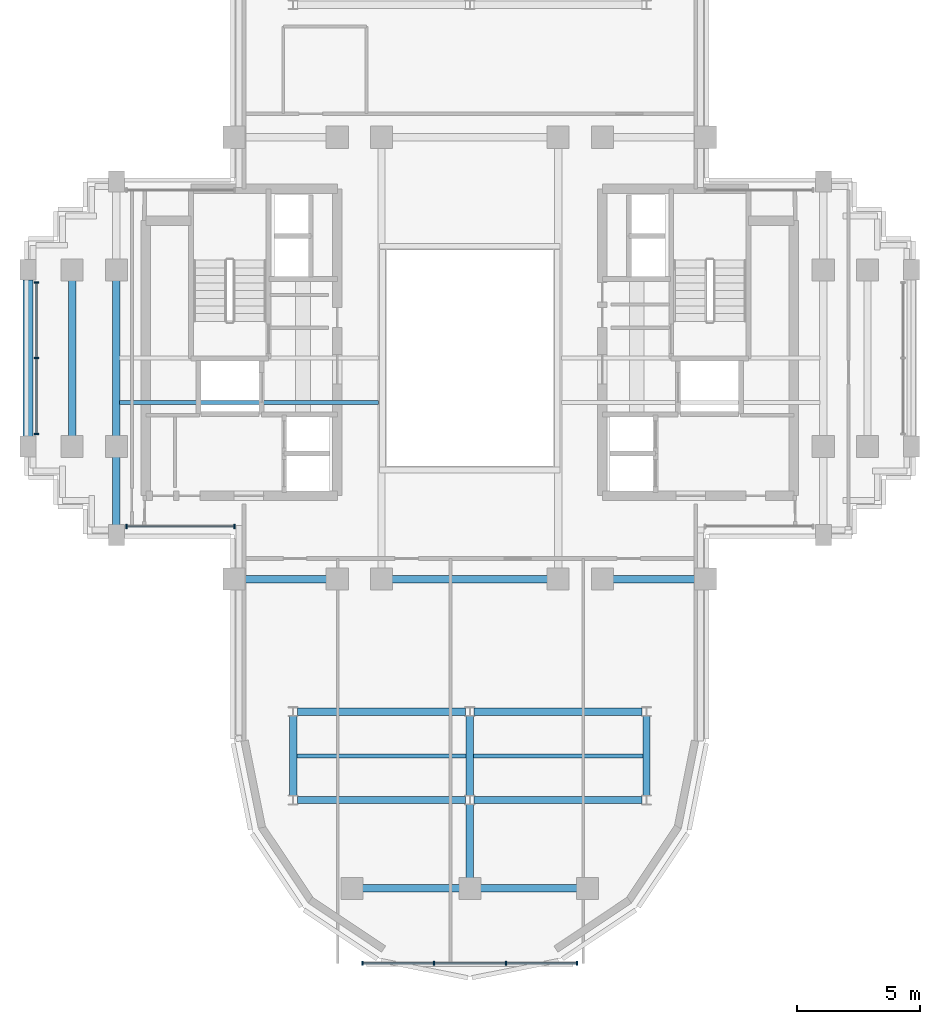
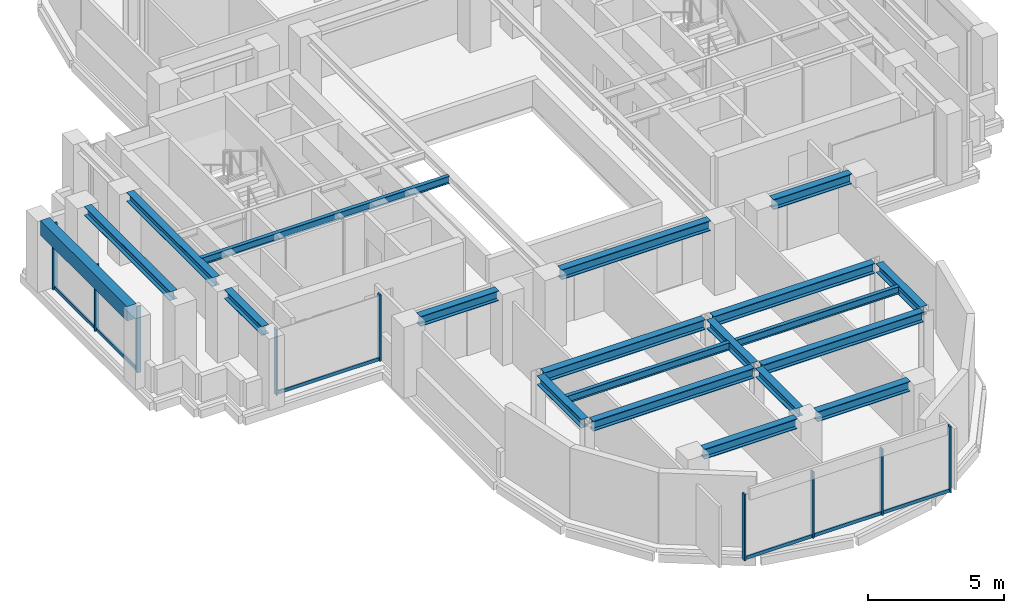
# One storey, part 2 of 11: 20 beams, 15 members, 3 elements without a shape of their own.
"""IFC4 building model written with IfcOpenShell, lengths in metres."""

from ifc_helpers import new_model, si_unit, direction, frame, origin, origin_2d, place, context, subcontext, project, spatial, rectangle, i_section, extrude, source, transform, mapped, material, material_profile, profile_set, type_object, element, aggregate, save


model = new_model("IFC4")

# Units and contexts
model_context = context("Model", 3, precision=1e-05, world=origin(), true_north=direction((0.0, 1.0)))
body_context = subcontext(model_context, "Body", "Model", "MODEL_VIEW")
ifc_project = project(units=[si_unit("LENGTHUNIT", "METRE"), si_unit("AREAUNIT", "SQUARE_METRE"), si_unit("VOLUMEUNIT", "CUBIC_METRE"), si_unit("PLANEANGLEUNIT", "RADIAN"), si_unit("MASSUNIT", "GRAM", prefix="KILO")], contexts=[model_context])

# Site, building, storey
site_placement = place(None, origin())
site = spatial("IfcSite", under=ifc_project, at=site_placement, CompositionType="ELEMENT")
building_placement = place(site_placement, origin())
building = spatial("IfcBuilding", under=site, at=building_placement, Name="Keilestroom Media Tower", CompositionType="ELEMENT")
storey_placement = place(building_placement, frame((0.0, 0.0, 167.199951171875)))
storey = spatial("IfcBuildingStorey", under=building, at=storey_placement, Name="L45", CompositionType="ELEMENT", Elevation=167.199951171875)

# Beams
ifc_material_1 = material(Name="Steel S355", Category="steel")
ifc_material_profile_1 = material_profile(ifc_material_1, i_section(OverallWidth=0.300048828125, OverallDepth=0.449951171875, WebThickness=0.011962890625, FlangeThickness=0.02587890625, at=origin_2d()), Name="HEB 450")
ifc_profile_set_1 = profile_set([ifc_material_profile_1], Name="Steel S355")
beam_type_1 = type_object("IfcBeamType", Name="Primary-Structural-Girder-HEB-450", PredefinedType="BEAM", material=ifc_profile_set_1)
shared_shape_1 = source(origin(), body_context, "Body", "SweptSolid", [
    extrude(i_section(OverallWidth=0.300048828125, OverallDepth=0.449951171875, WebThickness=0.011962890625, FlangeThickness=0.02587890625, at=origin_2d()), origin(), (0.0, 0.0, 1.0), 3.940185546875),
])
for number, where, z_axis, x_axis, name in (
    (1, (-4.3701171875, -21.60009765625, 2.97509765625), (1.0, 0.0, 0.0), (0.0, 1.0, 0.0), "L45 Beam BG-7 BM-L45-EW-001"),
    (2, (0.429931640625, -21.60009765625, 2.97509765625), (1.0, 0.0, 0.0), (0.0, 1.0, 0.0), "L45 Beam BG-7 BM-L45-EW-002"),
):
    element("IfcBeam", number, at=place(storey_placement, frame(where, z_axis=z_axis, x_axis=x_axis)), inside=storey, type_object=beam_type_1, Name=name, PredefinedType="BEAM", context=body_context, shape_type="MappedRepresentation", body=[
        mapped(shared_shape_1, transform((0.0, 0.0, 0.0), x_axis=(1.0, 0.0, 0.0), y_axis=(0.0, 1.0, 0.0), z_axis=(0.0, 0.0, 1.0), scale=1.0)),
    ])
shared_shape_2 = source(origin(), body_context, "Body", "SweptSolid", [
    extrude(i_section(OverallWidth=0.300048828125, OverallDepth=0.449951171875, WebThickness=0.011962890625, FlangeThickness=0.02587890625, at=origin_2d()), origin(), (0.0, 0.0, 1.0), 6.842041015625),
])
for number, where, z_axis, x_axis, name in (
    (3, (-7.02099609375, -18.0, 2.97509765625), (1.0, 0.0, 0.0), (0.0, 1.0, 0.0), "L45 Beam BG-7 BM-L45-EW-003"),
    (4, (0.178955078125, -18.0, 2.97509765625), (1.0, 0.0, 0.0), (0.0, 1.0, 0.0), "L45 Beam BG-7 BM-L45-EW-004"),
    (5, (-7.02099609375, -14.39990234375, 2.97509765625), (1.0, 0.0, 0.0), (0.0, 1.0, 0.0), "L45 Beam BG-7 BM-L45-EW-005"),
    (6, (0.178955078125, -14.39990234375, 2.97509765625), (1.0, 0.0, 0.0), (0.0, 1.0, 0.0), "L45 Beam BG-7 BM-L45-EW-006"),
):
    element("IfcBeam", number, at=place(storey_placement, frame(where, z_axis=z_axis, x_axis=x_axis)), inside=storey, type_object=beam_type_1, Name=name, PredefinedType="BEAM", context=body_context, shape_type="MappedRepresentation", body=[
        mapped(shared_shape_2, transform((0.0, 0.0, 0.0), x_axis=(1.0, 0.0, 0.0), y_axis=(0.0, 1.0, 0.0), z_axis=(0.0, 0.0, 1.0), scale=1.0)),
    ])
shared_shape_3 = source(origin(), body_context, "Body", "SweptSolid", [
    extrude(i_section(OverallWidth=0.300048828125, OverallDepth=0.449951171875, WebThickness=0.011962890625, FlangeThickness=0.02587890625, at=origin_2d()), origin(), (0.0, 0.0, 1.0), 3.33984375),
])
for number, where, z_axis, x_axis, name in (
    (7, (-9.169921875, -9.0, 2.97509765625), (1.0, 0.0, 0.0), (0.0, 1.0, 0.0), "L45 Beam BG-7 BM-L45-EW-007"),
    (8, (5.830078125, -9.0, 2.97509765625), (1.0, 0.0, 0.0), (0.0, 1.0, 0.0), "L45 Beam BG-7 BM-L45-EW-011"),
):
    element("IfcBeam", number, at=place(storey_placement, frame(where, z_axis=z_axis, x_axis=x_axis)), inside=storey, type_object=beam_type_1, Name=name, PredefinedType="BEAM", context=body_context, shape_type="MappedRepresentation", body=[
        mapped(shared_shape_3, transform((0.0, 0.0, 0.0), x_axis=(1.0, 0.0, 0.0), y_axis=(0.0, 1.0, 0.0), z_axis=(0.0, 0.0, 1.0), scale=1.0)),
    ])
shared_shape_4 = source(origin(), body_context, "Body", "SweptSolid", [
    extrude(i_section(OverallWidth=0.300048828125, OverallDepth=0.449951171875, WebThickness=0.011962890625, FlangeThickness=0.02587890625, at=origin_2d()), origin(), (0.0, 0.0, 1.0), 6.33984375),
])
beam_1_placement = place(storey_placement, frame((-3.169921875, -9.0, 2.97509765625), z_axis=(1.0, 0.0, 0.0), x_axis=(0.0, 1.0, 0.0)))
element("IfcBeam", 9, at=beam_1_placement, inside=storey, type_object=beam_type_1, Name="L45 Beam BG-7 BM-L45-EW-009", PredefinedType="BEAM", context=body_context, shape_type="MappedRepresentation", body=[
    mapped(shared_shape_4, transform((0.0, 0.0, 0.0), x_axis=(1.0, 0.0, 0.0), y_axis=(0.0, 1.0, 0.0), z_axis=(0.0, 0.0, 1.0), scale=1.0)),
])
ifc_material_2 = material(Name="Precast concrete C40/50", Category="concrete")
ifc_material_profile_2 = material_profile(ifc_material_2, rectangle(XDim=0.39990234375, YDim=0.64990234375, at=origin_2d()), Name="PC 400x650")
ifc_profile_set_2 = profile_set([ifc_material_profile_2], Name="Precast concrete C40/50")
beam_type_2 = type_object("IfcBeamType", Name="Perimeter-Spandrel-Beam-PC-400x650", PredefinedType="SPANDREL", material=ifc_profile_set_2)
shared_shape_5 = source(origin(), body_context, "Body", "SweptSolid", [
    extrude(rectangle(XDim=0.39990234375, YDim=0.64990234375, at=origin_2d()), origin(), (0.0, 0.0, 1.0), 6.39013671875),
])
beam_2_placement = place(storey_placement, frame((-18.0, -3.195068359375, 2.875), z_axis=(0.0, 1.0, 0.0), x_axis=(-1.0, 0.0, 0.0)))
element("IfcBeam", 10, at=beam_2_placement, inside=storey, type_object=beam_type_2, Name="L45 Beam SPB-2 BM-L45-NS-031", PredefinedType="SPANDREL", context=body_context, shape_type="MappedRepresentation", body=[
    mapped(shared_shape_5, transform((0.0, 0.0, 0.0), x_axis=(1.0, 0.0, 0.0), y_axis=(0.0, 1.0, 0.0), z_axis=(0.0, 0.0, 1.0), scale=1.0)),
])
ifc_material_profile_3 = material_profile(ifc_material_1, i_section(OverallWidth=0.300048828125, OverallDepth=0.39990234375, WebThickness=0.011474609375, FlangeThickness=0.02392578125, at=origin_2d()), Name="HEB 400")
ifc_profile_set_3 = profile_set([ifc_material_profile_3], Name="Steel S355")
beam_type_3 = type_object("IfcBeamType", Name="Primary-Structural-Girder-HEB-400", PredefinedType="BEAM", material=ifc_profile_set_3)
shared_shape_6 = source(origin(), body_context, "Body", "SweptSolid", [
    extrude(i_section(OverallWidth=0.300048828125, OverallDepth=0.39990234375, WebThickness=0.011474609375, FlangeThickness=0.02392578125, at=origin_2d()), origin(), (0.0, 0.0, 1.0), 6.33984375),
])
for number, where, z_axis, x_axis, name in (
    (11, (-16.199951171875, -3.169921875, 3.0), (0.0, 1.0, 0.0), (-1.0, 0.0, 0.0), "L45 Beam BG-8 BM-L45-NS-032"),
    (12, (-14.39990234375, -3.169921875, 3.0), (0.0, 1.0, 0.0), (-1.0, 0.0, 0.0), "L45 Beam BG-8 BM-L45-NS-034"),
):
    element("IfcBeam", number, at=place(storey_placement, frame(where, z_axis=z_axis, x_axis=x_axis)), inside=storey, type_object=beam_type_3, Name=name, PredefinedType="BEAM", context=body_context, shape_type="MappedRepresentation", body=[
        mapped(shared_shape_6, transform((0.0, 0.0, 0.0), x_axis=(1.0, 0.0, 0.0), y_axis=(0.0, 1.0, 0.0), z_axis=(0.0, 0.0, 1.0), scale=1.0)),
    ])
shared_shape_7 = source(origin(), body_context, "Body", "SweptSolid", [
    extrude(i_section(OverallWidth=0.300048828125, OverallDepth=0.39990234375, WebThickness=0.011474609375, FlangeThickness=0.02392578125, at=origin_2d()), origin(), (0.0, 0.0, 1.0), 2.764892578125),
])
beam_3_placement = place(storey_placement, frame((-14.39990234375, -6.794921875, 3.0), z_axis=(0.0, 1.0, 0.0), x_axis=(-1.0, 0.0, 0.0)))
element("IfcBeam", 13, at=beam_3_placement, inside=storey, type_object=beam_type_3, Name="L45 Beam BG-8 BM-L45-NS-033", PredefinedType="BEAM", context=body_context, shape_type="MappedRepresentation", body=[
    mapped(shared_shape_7, transform((0.0, 0.0, 0.0), x_axis=(1.0, 0.0, 0.0), y_axis=(0.0, 1.0, 0.0), z_axis=(0.0, 0.0, 1.0), scale=1.0)),
])
shared_shape_8 = source(origin(), body_context, "Body", "SweptSolid", [
    extrude(i_section(OverallWidth=0.300048828125, OverallDepth=0.39990234375, WebThickness=0.011474609375, FlangeThickness=0.02392578125, at=origin_2d()), origin(), (0.0, 0.0, 1.0), 3.2529296875),
])
for number, where, z_axis, x_axis, name in (
    (14, (-7.199951171875, -17.826416015625, 3.0), (0.0, 1.0, 0.0), (-1.0, 0.0, 0.0), "L45 Beam BG-8 BM-L45-NS-037"),
    (15, (0.0, -17.826416015625, 3.0), (0.0, 1.0, 0.0), (-1.0, 0.0, 0.0), "L45 Beam BG-8 BM-L45-NS-042"),
    (16, (7.199951171875, -17.826416015625, 3.0), (0.0, 1.0, 0.0), (-1.0, 0.0, 0.0), "L45 Beam BG-8 BM-L45-NS-047"),
):
    element("IfcBeam", number, at=place(storey_placement, frame(where, z_axis=z_axis, x_axis=x_axis)), inside=storey, type_object=beam_type_3, Name=name, PredefinedType="BEAM", context=body_context, shape_type="MappedRepresentation", body=[
        mapped(shared_shape_8, transform((0.0, 0.0, 0.0), x_axis=(1.0, 0.0, 0.0), y_axis=(0.0, 1.0, 0.0), z_axis=(0.0, 0.0, 1.0), scale=1.0)),
    ])
shared_shape_9 = source(origin(), body_context, "Body", "SweptSolid", [
    extrude(i_section(OverallWidth=0.300048828125, OverallDepth=0.39990234375, WebThickness=0.011474609375, FlangeThickness=0.02392578125, at=origin_2d()), origin(), (0.0, 0.0, 1.0), 2.996337890625),
])
beam_4_placement = place(storey_placement, frame((0.0, -21.169921875, 3.0), z_axis=(0.0, 1.0, 0.0), x_axis=(-1.0, 0.0, 0.0)))
element("IfcBeam", 17, at=beam_4_placement, inside=storey, type_object=beam_type_3, Name="L45 Beam BG-8 BM-L45-NS-041", PredefinedType="BEAM", context=body_context, shape_type="MappedRepresentation", body=[
    mapped(shared_shape_9, transform((0.0, 0.0, 0.0), x_axis=(1.0, 0.0, 0.0), y_axis=(0.0, 1.0, 0.0), z_axis=(0.0, 0.0, 1.0), scale=1.0)),
])
ifc_material_profile_4 = material_profile(ifc_material_1, i_section(OverallWidth=0.159912109375, OverallDepth=0.330078125, WebThickness=0.007568359375, FlangeThickness=0.011474609375, at=origin_2d()), Name="IPE 330")
ifc_profile_set_4 = profile_set([ifc_material_profile_4], Name="Steel S355")
beam_type_4 = type_object("IfcBeamType", Name="Secondary-Floor-Joist-IPE-330", PredefinedType="JOIST", material=ifc_profile_set_4)
shared_shape_10 = source(origin(), body_context, "Body", "SweptSolid", [
    extrude(i_section(OverallWidth=0.159912109375, OverallDepth=0.330078125, WebThickness=0.007568359375, FlangeThickness=0.011474609375, at=origin_2d()), origin(), (0.0, 0.0, 1.0), 6.940185546875),
])
for number, where, z_axis, x_axis, name in (
    (18, (-7.070068359375, -16.199951171875, 3.03515625), (1.0, 0.0, 0.0), (0.0, 1.0, 0.0), "L45 Beam BJ-6 JST-L45-055"),
    (19, (0.1298828125, -16.199951171875, 3.03515625), (1.0, 0.0, 0.0), (0.0, 1.0, 0.0), "L45 Beam BJ-6 JST-L45-056"),
):
    element("IfcBeam", number, at=place(storey_placement, frame(where, z_axis=z_axis, x_axis=x_axis)), inside=storey, type_object=beam_type_4, Name=name, PredefinedType="JOIST", context=body_context, shape_type="MappedRepresentation", body=[
        mapped(shared_shape_10, transform((0.0, 0.0, 0.0), x_axis=(1.0, 0.0, 0.0), y_axis=(0.0, 1.0, 0.0), z_axis=(0.0, 0.0, 1.0), scale=1.0)),
    ])
shared_shape_11 = source(origin(), body_context, "Body", "SweptSolid", [
    extrude(i_section(OverallWidth=0.159912109375, OverallDepth=0.330078125, WebThickness=0.007568359375, FlangeThickness=0.011474609375, at=origin_2d()), origin(), (0.0, 0.0, 1.0), 10.5400390625),
])
beam_5_placement = place(storey_placement, frame((-14.27001953125, -1.800048828125, 3.03515625), z_axis=(1.0, 0.0, 0.0), x_axis=(0.0, 1.0, 0.0)))
element("IfcBeam", 20, at=beam_5_placement, inside=storey, type_object=beam_type_4, Name="L45 Beam BJ-6 JST-L45-057", PredefinedType="JOIST", context=body_context, shape_type="MappedRepresentation", body=[
    mapped(shared_shape_11, transform((0.0, 0.0, 0.0), x_axis=(1.0, 0.0, 0.0), y_axis=(0.0, 1.0, 0.0), z_axis=(0.0, 0.0, 1.0), scale=1.0)),
])

# Curtain wall, members
ifc_material_3 = material(Name="Anodised Aluminium Alloy", Category="aluminium")
curtain_wall_type_1 = type_object("IfcCurtainWallType", Name="Unitised-Curtain-Wall-CW-6", PredefinedType="NOTDEFINED", material=ifc_material_3)
curtain_wall_1_placement = place(storey_placement, origin())
curtain_wall_1 = element("IfcCurtainWall", 21, at=curtain_wall_1_placement, inside=storey, type_object=curtain_wall_type_1, Name="L45 Curtain Wall CW-6 CW-L45-LS-1", PredefinedType="NOTDEFINED")
ifc_material_profile_5 = material_profile(ifc_material_3, rectangle(XDim=0.06494140625, YDim=0.179931640625, at=origin_2d()), Name="ALU MULLION 65x180")
ifc_profile_set_5 = profile_set([ifc_material_profile_5], Name="Anodised Aluminium Alloy")
member_type_1 = type_object("IfcMemberType", Name="Curtain-Wall-Mullion-CW-6", PredefinedType="MULLION", material=ifc_profile_set_5)
shared_shape_12 = source(origin(), body_context, "Body", "SweptSolid", [
    extrude(rectangle(XDim=0.06494140625, YDim=0.179931640625, at=origin_2d()), origin(), (0.0, 0.0, 1.0), 2.97998046875),
])
member_1_placement = place(storey_placement, frame((-4.367431640625, -24.64990234375, 0.0), z_axis=(0.0, 0.0, 1.0), x_axis=(1.0, 0.0, 0.0)))
member_1 = element("IfcMember", 22, at=member_1_placement, type_object=member_type_1, Name="CW-6 Mullion 00", PredefinedType="MULLION", context=body_context, shape_type="MappedRepresentation", body=[
    mapped(shared_shape_12, transform((0.0, 0.0, 0.0), x_axis=(1.0, 0.0, 0.0), y_axis=(0.0, 1.0, 0.0), z_axis=(0.0, 0.0, 1.0), scale=1.0)),
])
member_2_placement = place(storey_placement, frame((-1.466796875, -24.64990234375, 0.0), z_axis=(0.0, 0.0, 1.0), x_axis=(1.0, 0.0, 0.0)))
member_2 = element("IfcMember", 23, at=member_2_placement, type_object=member_type_1, Name="CW-6 Mullion 01", PredefinedType="MULLION", context=body_context, shape_type="MappedRepresentation", body=[
    mapped(shared_shape_12, transform((0.0, 0.0, 0.0), x_axis=(1.0, 0.0, 0.0), y_axis=(0.0, 1.0, 0.0), z_axis=(0.0, 0.0, 1.0), scale=1.0)),
])
member_3_placement = place(storey_placement, frame((1.466796875, -24.64990234375, 0.0), z_axis=(0.0, 0.0, 1.0), x_axis=(1.0, 0.0, 0.0)))
member_3 = element("IfcMember", 24, at=member_3_placement, type_object=member_type_1, Name="CW-6 Mullion 02", PredefinedType="MULLION", context=body_context, shape_type="MappedRepresentation", body=[
    mapped(shared_shape_12, transform((0.0, 0.0, 0.0), x_axis=(1.0, 0.0, 0.0), y_axis=(0.0, 1.0, 0.0), z_axis=(0.0, 0.0, 1.0), scale=1.0)),
])
member_4_placement = place(storey_placement, frame((4.367431640625, -24.64990234375, 0.0), z_axis=(0.0, 0.0, 1.0), x_axis=(1.0, 0.0, 0.0)))
member_4 = element("IfcMember", 25, at=member_4_placement, type_object=member_type_1, Name="CW-6 Mullion 03", PredefinedType="MULLION", context=body_context, shape_type="MappedRepresentation", body=[
    mapped(shared_shape_12, transform((0.0, 0.0, 0.0), x_axis=(1.0, 0.0, 0.0), y_axis=(0.0, 1.0, 0.0), z_axis=(0.0, 0.0, 1.0), scale=1.0)),
])
ifc_material_profile_6 = material_profile(ifc_material_3, rectangle(XDim=0.06494140625, YDim=0.14990234375, at=origin_2d()), Name="ALU TRANSOM 65x150")
ifc_profile_set_6 = profile_set([ifc_material_profile_6], Name="Anodised Aluminium Alloy")
member_type_2 = type_object("IfcMemberType", Name="Curtain-Wall-Transom-CW-6", PredefinedType="USERDEFINED", material=ifc_profile_set_6)
shared_shape_13 = source(origin(), body_context, "Body", "SweptSolid", [
    extrude(rectangle(XDim=0.06494140625, YDim=0.14990234375, at=origin_2d()), origin(), (0.0, 0.0, 1.0), 2.839599609375),
])
member_5_placement = place(storey_placement, frame((-4.3369140625, -24.64990234375, 0.074951171875), z_axis=(1.0, 0.0, 0.0), x_axis=(0.0, 1.0, 0.0)))
member_5 = element("IfcMember", 26, at=member_5_placement, type_object=member_type_2, Name="CW-6 Transom 00.1", ObjectType="TRANSOM", PredefinedType="USERDEFINED", context=body_context, shape_type="MappedRepresentation", body=[
    mapped(shared_shape_13, transform((0.0, 0.0, 0.0), x_axis=(1.0, 0.0, 0.0), y_axis=(0.0, 1.0, 0.0), z_axis=(0.0, 0.0, 1.0), scale=1.0)),
])
member_6_placement = place(storey_placement, frame((1.497314453125, -24.64990234375, 0.074951171875), z_axis=(1.0, 0.0, 0.0), x_axis=(0.0, 1.0, 0.0)))
member_6 = element("IfcMember", 27, at=member_6_placement, type_object=member_type_2, Name="CW-6 Transom 02.1", ObjectType="TRANSOM", PredefinedType="USERDEFINED", context=body_context, shape_type="MappedRepresentation", body=[
    mapped(shared_shape_13, transform((0.0, 0.0, 0.0), x_axis=(1.0, 0.0, 0.0), y_axis=(0.0, 1.0, 0.0), z_axis=(0.0, 0.0, 1.0), scale=1.0)),
])
shared_shape_14 = source(origin(), body_context, "Body", "SweptSolid", [
    extrude(rectangle(XDim=0.06494140625, YDim=0.14990234375, at=origin_2d()), origin(), (0.0, 0.0, 1.0), 2.87255859375),
])
member_7_placement = place(storey_placement, frame((-1.436279296875, -24.64990234375, 0.074951171875), z_axis=(1.0, 0.0, 0.0), x_axis=(0.0, 1.0, 0.0)))
member_7 = element("IfcMember", 28, at=member_7_placement, type_object=member_type_2, Name="CW-6 Transom 01.1", ObjectType="TRANSOM", PredefinedType="USERDEFINED", context=body_context, shape_type="MappedRepresentation", body=[
    mapped(shared_shape_14, transform((0.0, 0.0, 0.0), x_axis=(1.0, 0.0, 0.0), y_axis=(0.0, 1.0, 0.0), z_axis=(0.0, 0.0, 1.0), scale=1.0)),
])
aggregate(curtain_wall_1, [member_1, member_2, member_3, member_4, member_5, member_7, member_6])

curtain_wall_type_2 = type_object("IfcCurtainWallType", Name="Unitised-Curtain-Wall-CW-3", PredefinedType="NOTDEFINED", material=ifc_material_3)
curtain_wall_2_placement = place(storey_placement, origin())
curtain_wall_2 = element("IfcCurtainWall", 29, at=curtain_wall_2_placement, inside=storey, type_object=curtain_wall_type_2, Name="L45 Curtain Wall CW-3 CW-L45-W-1", PredefinedType="NOTDEFINED")
ifc_material_profile_7 = material_profile(ifc_material_3, rectangle(XDim=0.06494140625, YDim=0.179931640625, at=origin_2d()), Name="ALU MULLION 65x180")
ifc_profile_set_7 = profile_set([ifc_material_profile_7], Name="Anodised Aluminium Alloy")
member_type_3 = type_object("IfcMemberType", Name="Curtain-Wall-Mullion-CW-3", PredefinedType="MULLION", material=ifc_profile_set_7)
shared_shape_15 = source(origin(), body_context, "Body", "SweptSolid", [
    extrude(rectangle(XDim=0.06494140625, YDim=0.179931640625, at=origin_2d()), origin(), (0.0, 0.0, 1.0), 2.97998046875),
])
member_8_placement = place(storey_placement, frame((-17.64990234375, -3.08251953125, 0.0), z_axis=(0.0, 0.0, 1.0), x_axis=(0.0, 1.0, 0.0)))
member_8 = element("IfcMember", 30, at=member_8_placement, type_object=member_type_3, Name="CW-3 Mullion 00", PredefinedType="MULLION", context=body_context, shape_type="MappedRepresentation", body=[
    mapped(shared_shape_15, transform((0.0, 0.0, 0.0), x_axis=(1.0, 0.0, 0.0), y_axis=(0.0, 1.0, 0.0), z_axis=(0.0, 0.0, 1.0), scale=1.0)),
])
member_9_placement = place(storey_placement, frame((-17.64990234375, 0.0, 0.0), z_axis=(0.0, 0.0, 1.0), x_axis=(0.0, 1.0, 0.0)))
member_9 = element("IfcMember", 31, at=member_9_placement, type_object=member_type_3, Name="CW-3 Mullion 01", PredefinedType="MULLION", context=body_context, shape_type="MappedRepresentation", body=[
    mapped(shared_shape_15, transform((0.0, 0.0, 0.0), x_axis=(1.0, 0.0, 0.0), y_axis=(0.0, 1.0, 0.0), z_axis=(0.0, 0.0, 1.0), scale=1.0)),
])
member_10_placement = place(storey_placement, frame((-17.64990234375, 3.08251953125, 0.0), z_axis=(0.0, 0.0, 1.0), x_axis=(0.0, 1.0, 0.0)))
member_10 = element("IfcMember", 32, at=member_10_placement, type_object=member_type_3, Name="CW-3 Mullion 02", PredefinedType="MULLION", context=body_context, shape_type="MappedRepresentation", body=[
    mapped(shared_shape_15, transform((0.0, 0.0, 0.0), x_axis=(1.0, 0.0, 0.0), y_axis=(0.0, 1.0, 0.0), z_axis=(0.0, 0.0, 1.0), scale=1.0)),
])

curtain_wall_3_placement = place(storey_placement, origin())
curtain_wall_3 = element("IfcCurtainWall", 33, at=curtain_wall_3_placement, inside=storey, type_object=curtain_wall_type_2, Name="L45 Curtain Wall CW-3 CW-L45-SW-1", PredefinedType="NOTDEFINED")
member_11_placement = place(storey_placement, frame((-13.982421875, -6.85009765625, 0.0), z_axis=(0.0, 0.0, 1.0), x_axis=(1.0, 0.0, 0.0)))
member_11 = element("IfcMember", 34, at=member_11_placement, type_object=member_type_3, Name="CW-3 Mullion 00", PredefinedType="MULLION", context=body_context, shape_type="MappedRepresentation", body=[
    mapped(shared_shape_15, transform((0.0, 0.0, 0.0), x_axis=(1.0, 0.0, 0.0), y_axis=(0.0, 1.0, 0.0), z_axis=(0.0, 0.0, 1.0), scale=1.0)),
])
member_12_placement = place(storey_placement, frame((-9.58251953125, -6.85009765625, 0.0), z_axis=(0.0, 0.0, 1.0), x_axis=(1.0, 0.0, 0.0)))
member_12 = element("IfcMember", 35, at=member_12_placement, type_object=member_type_3, Name="CW-3 Mullion 01", PredefinedType="MULLION", context=body_context, shape_type="MappedRepresentation", body=[
    mapped(shared_shape_15, transform((0.0, 0.0, 0.0), x_axis=(1.0, 0.0, 0.0), y_axis=(0.0, 1.0, 0.0), z_axis=(0.0, 0.0, 1.0), scale=1.0)),
])
ifc_material_profile_8 = material_profile(ifc_material_3, rectangle(XDim=0.06494140625, YDim=0.14990234375, at=origin_2d()), Name="ALU TRANSOM 65x150")
ifc_profile_set_8 = profile_set([ifc_material_profile_8], Name="Anodised Aluminium Alloy")
member_type_4 = type_object("IfcMemberType", Name="Curtain-Wall-Transom-CW-3", PredefinedType="USERDEFINED", material=ifc_profile_set_8)
shared_shape_16 = source(origin(), body_context, "Body", "SweptSolid", [
    extrude(rectangle(XDim=0.06494140625, YDim=0.14990234375, at=origin_2d()), origin(), (0.0, 0.0, 1.0), 4.3388671875),
])
member_13_placement = place(storey_placement, frame((-13.951904296875, -6.85009765625, 0.074951171875), z_axis=(1.0, 0.0, 0.0), x_axis=(0.0, 1.0, 0.0)))
member_13 = element("IfcMember", 36, at=member_13_placement, type_object=member_type_4, Name="CW-3 Transom 00.1", ObjectType="TRANSOM", PredefinedType="USERDEFINED", context=body_context, shape_type="MappedRepresentation", body=[
    mapped(shared_shape_16, transform((0.0, 0.0, 0.0), x_axis=(1.0, 0.0, 0.0), y_axis=(0.0, 1.0, 0.0), z_axis=(0.0, 0.0, 1.0), scale=1.0)),
])
aggregate(curtain_wall_3, [member_11, member_12, member_13])

# Member
shared_shape_17 = source(origin(), body_context, "Body", "SweptSolid", [
    extrude(rectangle(XDim=0.06494140625, YDim=0.14990234375, at=origin_2d()), origin(), (0.0, 0.0, 1.0), 3.021484375),
])
member_14_placement = place(storey_placement, frame((-17.64990234375, -3.052001953125, 0.074951171875), z_axis=(0.0, 1.0, 0.0), x_axis=(-1.0, 0.0, 0.0)))
member_14 = element("IfcMember", 37, at=member_14_placement, type_object=member_type_4, Name="CW-3 Transom 00.1", ObjectType="TRANSOM", PredefinedType="USERDEFINED", context=body_context, shape_type="MappedRepresentation", body=[
    mapped(shared_shape_17, transform((0.0, 0.0, 0.0), x_axis=(1.0, 0.0, 0.0), y_axis=(0.0, 1.0, 0.0), z_axis=(0.0, 0.0, 1.0), scale=1.0)),
])

member_15_placement = place(storey_placement, frame((-17.64990234375, 0.030517578125, 0.074951171875), z_axis=(0.0, 1.0, 0.0), x_axis=(-1.0, 0.0, 0.0)))
member_15 = element("IfcMember", 38, at=member_15_placement, type_object=member_type_4, Name="CW-3 Transom 01.1", ObjectType="TRANSOM", PredefinedType="USERDEFINED", context=body_context, shape_type="MappedRepresentation", body=[
    mapped(shared_shape_17, transform((0.0, 0.0, 0.0), x_axis=(1.0, 0.0, 0.0), y_axis=(0.0, 1.0, 0.0), z_axis=(0.0, 0.0, 1.0), scale=1.0)),
])

aggregate(curtain_wall_2, [member_8, member_9, member_10, member_14, member_15])

save(model, "model.ifc")
